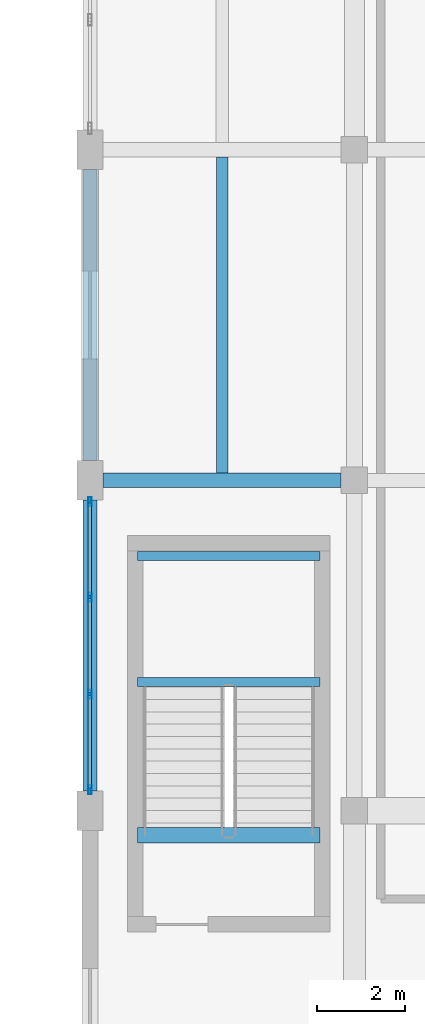
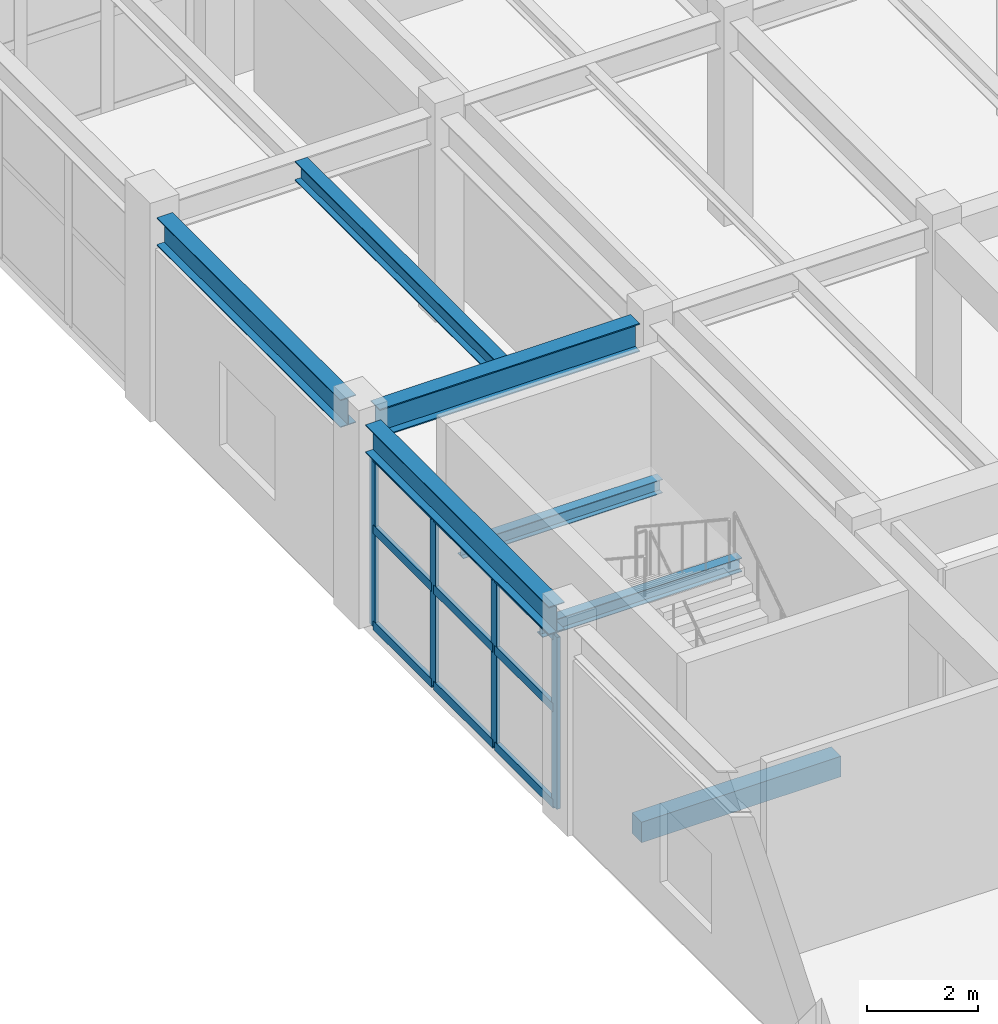
# One storey, part 34 of 85: 13 members, 7 beams, 1 element without a shape of its own.
"""IFC4 building model written with IfcOpenShell, lengths in metres."""

import ifcopenshell
import ifcopenshell.guid

model = None  # the IFC model being written
_history = None  # IfcOwnerHistory: only IFC2X3 demands one
_inside = {}  # id of a spatial element -> (the spatial element, [elements in it])
_under = {}  # id of a project, library or spatial element -> (it, [spatial elements below it])
_declared = {}  # id of a project -> (the project, [libraries it declares])
_typed = {}  # id of a type object -> (the type object, [elements of that type])
_made_of = {}  # id of a material, layer set ... -> (it, [elements and type objects made of it])


def new_model(schema):
    """Start an empty IFC model of exactly this schema.

    Asked for "IFC4X3", IfcOpenShell would pick the latest addendum, in which some entities
    have other attributes; the version numbers below select the first issue.
    IFC2X3 requires an IfcOwnerHistory on every rooted entity: one is made here for all.
    """
    global model, _history
    if schema == "IFC4X3":
        model = ifcopenshell.file(schema_version=(4, 3, 0, 0))
    else:
        model = ifcopenshell.file(schema=schema)
    _inside.clear()
    _under.clear()
    _declared.clear()
    _typed.clear()
    _made_of.clear()
    _history = None
    if model.schema == "IFC2X3":
        org = make("IfcOrganization", Name="unknown")
        user = make(
            "IfcPersonAndOrganization",
            ThePerson=make("IfcPerson", FamilyName="unknown"),
            TheOrganization=org,
        )
        app = make(
            "IfcApplication",
            ApplicationDeveloper=org,
            Version="unknown",
            ApplicationFullName="unknown",
            ApplicationIdentifier="unknown",
        )
        _history = make(
            "IfcOwnerHistory",
            OwningUser=user,
            OwningApplication=app,
            ChangeAction="ADDED",
            CreationDate=0,
        )
    return model


def make(cls, **values):
    """One entity of the class cls with the attributes given. An attribute that is None is left unset."""
    return model.create_entity(
        cls, **{name: value for name, value in values.items() if value is not None}
    )


def rooted(cls, **values):
    """An entity with a GlobalId (a new one), such as an element, a storey or a relation."""
    return make(cls, GlobalId=ifcopenshell.guid.new(), OwnerHistory=_history, **values)


def si_unit(unit_type, name, prefix=None):
    """IfcSIUnit, for example si_unit("LENGTHUNIT", "METRE", prefix="MILLI")."""
    return make("IfcSIUnit", UnitType=unit_type, Prefix=prefix, Name=name)


def assignment(units):
    """IfcUnitAssignment: the units of a project."""
    return None if units is None else make("IfcUnitAssignment", Units=units)


def point(xyz):
    """IfcCartesianPoint."""
    return None if xyz is None else make("IfcCartesianPoint", Coordinates=xyz)


def direction(xyz):
    """IfcDirection."""
    return None if xyz is None else make("IfcDirection", DirectionRatios=xyz)


def frame(location, z_axis=None, x_axis=None):
    """IfcAxis2Placement3D, a coordinate frame: its origin and axes. An axis left out is left unset."""
    return make(
        "IfcAxis2Placement3D",
        Location=point(location),
        Axis=direction(z_axis),
        RefDirection=direction(x_axis),
    )


def frame_2d(location, x_axis=None):
    """IfcAxis2Placement2D, a coordinate frame in the plane: its origin and x axis."""
    return make(
        "IfcAxis2Placement2D", Location=point(location), RefDirection=direction(x_axis)
    )


def origin():
    """The frame at (0, 0, 0) with its axes left unset."""
    return frame((0.0, 0.0, 0.0))


def origin_2d():
    """The frame at (0, 0) in the plane with its x axis left unset."""
    return frame_2d((0.0, 0.0))


def place(relative_to, where):
    """IfcLocalPlacement: puts the frame where relative to a parent placement (None: the world)."""
    return make(
        "IfcLocalPlacement", PlacementRelTo=relative_to, RelativePlacement=where
    )


def context(
    kind, dimensions, precision=None, world=None, true_north=None, identifier=None
):
    """IfcGeometricRepresentationContext, for example the 3D "Model" context."""
    return make(
        "IfcGeometricRepresentationContext",
        ContextIdentifier=identifier,
        ContextType=kind,
        CoordinateSpaceDimension=dimensions,
        Precision=precision,
        WorldCoordinateSystem=world,
        TrueNorth=true_north,
    )


def subcontext(parent, identifier, kind, view, scale=None):
    """IfcGeometricRepresentationSubContext, for example "Body" below "Model"."""
    return make(
        "IfcGeometricRepresentationSubContext",
        ContextIdentifier=identifier,
        ContextType=kind,
        ParentContext=parent,
        TargetScale=scale,
        TargetView=view,
    )


def project(units=None, contexts=None):
    """IfcProject with its units and contexts."""
    return rooted(
        "IfcProject",
        Name="project",
        RepresentationContexts=contexts,
        UnitsInContext=assignment(units),
    )


def spatial(cls, under=None, at=None, **own):
    """A site, building, storey or space (cls), placed at a placement, below another one or the project."""
    s = rooted(cls, ObjectPlacement=at, **own)
    if under is not None:
        _under.setdefault(under.id(), (under, []))[1].append(s)
    return s


def profile(cls, at=None, kind="AREA", **sizes):
    """A parametric profile (cls). Its sizes go by their IFC names, for example OverallWidth=200.0."""
    return make(cls, ProfileType=kind, Position=at, **sizes)


def rectangle(**sizes):
    """IfcRectangleProfileDef."""
    return profile("IfcRectangleProfileDef", **sizes)


def hollow_rectangle(**sizes):
    """IfcRectangleHollowProfileDef."""
    return profile("IfcRectangleHollowProfileDef", **sizes)


def i_section(**sizes):
    """IfcIShapeProfileDef."""
    return profile("IfcIShapeProfileDef", **sizes)


def extrude(swept, where, along, depth):
    """IfcExtrudedAreaSolid: the profile swept, set in the frame where, extruded along a direction by depth."""
    return make(
        "IfcExtrudedAreaSolid",
        SweptArea=swept,
        Position=where,
        ExtrudedDirection=direction(along),
        Depth=depth,
    )


def shape(context_of_items, identifier, shape_type, items):
    """IfcShapeRepresentation: the items that make up one representation, for example the "Body"."""
    return make(
        "IfcShapeRepresentation",
        ContextOfItems=context_of_items,
        RepresentationIdentifier=identifier,
        RepresentationType=shape_type,
        Items=items,
    )


def material(Name=None, Category=None):
    """IfcMaterial."""
    return make("IfcMaterial", Name=Name, Category=Category)


def layer(
    of_material, thickness, ventilated=None, Name=None, Category=None, Priority=None
):
    """IfcMaterialLayer: one layer of a wall or slab, of a material (None: an air gap)."""
    return make(
        "IfcMaterialLayer",
        Material=of_material,
        LayerThickness=thickness,
        IsVentilated=ventilated,
        Name=Name,
        Category=Category,
        Priority=Priority,
    )


def layer_set(layers, Name=None):
    """IfcMaterialLayerSet."""
    return make("IfcMaterialLayerSet", MaterialLayers=layers, LayerSetName=Name)


def material_profile(
    of_material, cross_section, Name=None, Category=None, Priority=None
):
    """IfcMaterialProfile: a cross section and its material."""
    return make(
        "IfcMaterialProfile",
        Name=Name,
        Material=of_material,
        Profile=cross_section,
        Priority=Priority,
        Category=Category,
    )


def profile_set(profiles, Name=None, composite=None):
    """IfcMaterialProfileSet."""
    return make(
        "IfcMaterialProfileSet",
        Name=Name,
        MaterialProfiles=profiles,
        CompositeProfile=composite,
    )


def made_of(thing, what):
    """Note that an element or type object is made of a material, layer set ...; save() writes the relation."""
    if what is not None:
        _made_of.setdefault(what.id(), (what, []))[1].append(thing)
    return thing


def type_object(cls, material=None, **own):
    """A type object (cls), such as IfcWallType, which elements share."""
    return made_of(rooted(cls, **own), material)


def element(
    cls,
    number,
    at=None,
    inside=None,
    cuts=None,
    type_object=None,
    material=None,
    context=None,
    identifier="Body",
    shape_type=None,
    held_by="IfcProductDefinitionShape",
    body=None,
    shapes=None,
    **own,
):
    """One element of the class cls, such as IfcWall. Its Tag is "e" and its number.

    at: its placement. inside: the storey or other place that contains it. cuts: it is an
    opening in that element (IfcRelVoidsElement). A single representation is given by context,
    identifier, shape_type and body (its items); several are given by shapes. held_by: the class
    of the entity that holds the representations. save() writes the other relations.
    """
    e = rooted(cls, Tag="e%d" % number, ObjectPlacement=at, **own)
    if body is not None:
        shapes = [shape(context, identifier, shape_type, body)]
    if shapes is not None:
        e.Representation = make(held_by, Representations=shapes)
    if inside is not None:
        _inside.setdefault(inside.id(), (inside, []))[1].append(e)
    if cuts is not None:
        rooted(
            "IfcRelVoidsElement", RelatingBuildingElement=cuts, RelatedOpeningElement=e
        )
    if type_object is not None:
        _typed.setdefault(type_object.id(), (type_object, []))[1].append(e)
    return made_of(e, material)


def aggregate(whole, parts):
    """IfcRelAggregates: a whole, such as a stair, and the parts it consists of."""
    return rooted("IfcRelAggregates", RelatingObject=whole, RelatedObjects=parts)


def save(model, path):
    """Write the relations noted so far, then the file.

    IfcRelAggregates (storeys below a building ...), IfcRelContainedInSpatialStructure (elements
    in a storey), IfcRelDefinesByType, IfcRelAssociatesMaterial and IfcRelDeclares: one each for
    every whole, place, type object, material and project.
    """
    for whole, parts in _under.values():
        aggregate(whole, parts)
    for where, things in _inside.values():
        rooted(
            "IfcRelContainedInSpatialStructure",
            RelatedElements=things,
            RelatingStructure=where,
        )
    for kind, things in _typed.values():
        rooted("IfcRelDefinesByType", RelatedObjects=things, RelatingType=kind)
    for what, things in _made_of.values():
        rooted("IfcRelAssociatesMaterial", RelatedObjects=things, RelatingMaterial=what)
    for by, libraries in _declared.values():
        rooted("IfcRelDeclares", RelatingContext=by, RelatedDefinitions=libraries)
    model.write(path)


model = new_model("IFC4")

# Units and contexts
model_context = context("Model", 3, precision=1e-05, world=origin(), true_north=direction((0.0, 1.0)))
body_context = subcontext(model_context, "Body", "Model", "MODEL_VIEW")
ifc_project = project(units=[si_unit("LENGTHUNIT", "METRE"), si_unit("AREAUNIT", "SQUARE_METRE"), si_unit("VOLUMEUNIT", "CUBIC_METRE"), si_unit("PLANEANGLEUNIT", "RADIAN"), si_unit("MASSUNIT", "GRAM", prefix="KILO")], contexts=[model_context])

# Site, building, storey
site_placement = place(None, origin())
site = spatial("IfcSite", under=ifc_project, at=site_placement, CompositionType="ELEMENT")
building_placement = place(site_placement, origin())
building = spatial("IfcBuilding", under=site, at=building_placement, Name="Vaelkrest Opera House", CompositionType="ELEMENT")
storey_placement = place(building_placement, frame((0.0, 0.0, 10.199951171875)))
storey = spatial("IfcBuildingStorey", under=building, at=storey_placement, Name="L02", CompositionType="ELEMENT", Elevation=10.199951171875)

# Beam
ifc_material_1 = material(Name="Steel A992 Gr50", Category="steel")
ifc_material_profile_1 = material_profile(ifc_material_1, i_section(OverallWidth=0.326904296875, OverallDepth=0.6220703125, WebThickness=0.015380859375, FlangeThickness=0.0244140625, at=origin_2d()), Name="W24X131")
ifc_profile_set_1 = profile_set([ifc_material_profile_1], Name="Steel A992 Gr50")
beam_type_1 = type_object("IfcBeamType", Name="B19", PredefinedType="BEAM", material=ifc_profile_set_1)
beam_1_placement = place(storey_placement, frame((-75.300048828125, 17.699951171875, 4.134033203125), z_axis=(1.0, 0.0, 0.0), x_axis=(0.0, 1.0, 0.0)))
element("IfcBeam", 1, at=beam_1_placement, inside=storey, type_object=beam_type_1, Name="Beam BM-V3-L02-1643", PredefinedType="BEAM", context=body_context, shape_type="SweptSolid", body=[
    extrude(i_section(OverallWidth=0.326904296875, OverallDepth=0.6220703125, WebThickness=0.015380859375, FlangeThickness=0.0244140625, at=origin_2d()), origin(), (0.0, 0.0, 1.0), 5.400146484375),
])

# Curtain wall, members
ifc_material_2 = material(Name="Dark bronze anodized aluminium", Category="aluminium")
ifc_layer = layer(ifc_material_2, 0.22998046875)
ifc_layer_set = layer_set([ifc_layer], Name="Dark bronze anodized aluminium")
curtain_wall_type = type_object("IfcCurtainWallType", Name="CW06", PredefinedType="NOTDEFINED", material=ifc_layer_set)
curtain_wall_placement = place(storey_placement, origin())
curtain_wall = element("IfcCurtainWall", 2, at=curtain_wall_placement, inside=storey, type_object=curtain_wall_type, Name="Curtain wall CW-L02-117", PredefinedType="NOTDEFINED")
ifc_material_profile_2 = material_profile(ifc_material_2, hollow_rectangle(XDim=0.070068359375, YDim=0.199951171875, WallThickness=0.004150390625, at=origin_2d()), Name="CWM70X200")
ifc_profile_set_2 = profile_set([ifc_material_profile_2], Name="Dark bronze anodized aluminium")
member_type_1 = type_object("IfcMemberType", Name="CWM02", PredefinedType="MULLION", material=ifc_profile_set_2)
member_1_placement = place(storey_placement, frame((-75.60009765625, 10.68310546875, 0.0), z_axis=(0.0, 0.0, 1.0), x_axis=(-1.0, 0.0, 0.0)))
member_1 = element("IfcMember", 3, at=member_1_placement, type_object=member_type_1, Name="CW06 mullion 1", PredefinedType="MULLION", context=body_context, shape_type="SweptSolid", body=[
    extrude(hollow_rectangle(XDim=0.070068359375, YDim=0.199951171875, WallThickness=0.004150390625, at=origin_2d()), origin(), (0.0, 0.0, 1.0), 3.76904296875),
])
member_2_placement = place(storey_placement, frame((-75.60009765625, 12.849365234375, 0.0), z_axis=(0.0, 0.0, 1.0), x_axis=(-1.0, 0.0, 0.0)))
member_2 = element("IfcMember", 4, at=member_2_placement, type_object=member_type_1, Name="CW06 mullion 2", PredefinedType="MULLION", context=body_context, shape_type="SweptSolid", body=[
    extrude(hollow_rectangle(XDim=0.070068359375, YDim=0.199951171875, WallThickness=0.004150390625, at=origin_2d()), origin(), (0.0, 0.0, 1.0), 3.76904296875),
])
member_3_placement = place(storey_placement, frame((-75.60009765625, 15.05078125, 0.0), z_axis=(0.0, 0.0, 1.0), x_axis=(-1.0, 0.0, 0.0)))
member_3 = element("IfcMember", 5, at=member_3_placement, type_object=member_type_1, Name="CW06 mullion 3", PredefinedType="MULLION", context=body_context, shape_type="SweptSolid", body=[
    extrude(hollow_rectangle(XDim=0.070068359375, YDim=0.199951171875, WallThickness=0.004150390625, at=origin_2d()), origin(), (0.0, 0.0, 1.0), 3.76904296875),
])
member_4_placement = place(storey_placement, frame((-75.60009765625, 17.217041015625, 0.0), z_axis=(0.0, 0.0, 1.0), x_axis=(-1.0, 0.0, 0.0)))
member_4 = element("IfcMember", 6, at=member_4_placement, type_object=member_type_1, Name="CW06 mullion 4", PredefinedType="MULLION", context=body_context, shape_type="SweptSolid", body=[
    extrude(hollow_rectangle(XDim=0.070068359375, YDim=0.199951171875, WallThickness=0.004150390625, at=origin_2d()), origin(), (0.0, 0.0, 1.0), 3.76904296875),
])
ifc_material_profile_3 = material_profile(ifc_material_2, hollow_rectangle(XDim=0.080078125, YDim=0.18994140625, WallThickness=0.0048828125, at=origin_2d()), Name="CWT80X190")
ifc_profile_set_3 = profile_set([ifc_material_profile_3], Name="Dark bronze anodized aluminium")
member_type_2 = type_object("IfcMemberType", Name="CWT04", PredefinedType="USERDEFINED", material=ifc_profile_set_3)
member_5_placement = place(storey_placement, frame((-75.60009765625, 10.718017578125, 0.0400390625), z_axis=(0.0, 1.0, 0.0), x_axis=(-1.0, 0.0, 0.0)))
member_5 = element("IfcMember", 7, at=member_5_placement, type_object=member_type_2, Name="CW06 transom 1.1", ObjectType="TRANSOM", PredefinedType="USERDEFINED", context=body_context, shape_type="SweptSolid", body=[
    extrude(hollow_rectangle(XDim=0.080078125, YDim=0.18994140625, WallThickness=0.0048828125, at=origin_2d()), origin(), (0.0, 0.0, 1.0), 2.096435546875),
])
member_6_placement = place(storey_placement, frame((-75.60009765625, 10.718017578125, 2.150146484375), z_axis=(0.0, 1.0, 0.0), x_axis=(-1.0, 0.0, 0.0)))
member_6 = element("IfcMember", 8, at=member_6_placement, type_object=member_type_2, Name="CW06 transom 1.2", ObjectType="TRANSOM", PredefinedType="USERDEFINED", context=body_context, shape_type="SweptSolid", body=[
    extrude(hollow_rectangle(XDim=0.080078125, YDim=0.18994140625, WallThickness=0.0048828125, at=origin_2d()), origin(), (0.0, 0.0, 1.0), 2.096435546875),
])
member_7_placement = place(storey_placement, frame((-75.60009765625, 10.718017578125, 3.72900390625), z_axis=(0.0, 1.0, 0.0), x_axis=(-1.0, 0.0, 0.0)))
member_7 = element("IfcMember", 9, at=member_7_placement, type_object=member_type_2, Name="CW06 transom 1.3", ObjectType="TRANSOM", PredefinedType="USERDEFINED", context=body_context, shape_type="SweptSolid", body=[
    extrude(hollow_rectangle(XDim=0.080078125, YDim=0.18994140625, WallThickness=0.0048828125, at=origin_2d()), origin(), (0.0, 0.0, 1.0), 2.096435546875),
])
member_8_placement = place(storey_placement, frame((-75.60009765625, 12.88427734375, 0.0400390625), z_axis=(0.0, 1.0, 0.0), x_axis=(-1.0, 0.0, 0.0)))
member_8 = element("IfcMember", 10, at=member_8_placement, type_object=member_type_2, Name="CW06 transom 2.1", ObjectType="TRANSOM", PredefinedType="USERDEFINED", context=body_context, shape_type="SweptSolid", body=[
    extrude(hollow_rectangle(XDim=0.080078125, YDim=0.18994140625, WallThickness=0.0048828125, at=origin_2d()), origin(), (0.0, 0.0, 1.0), 2.13134765625),
])
member_9_placement = place(storey_placement, frame((-75.60009765625, 12.88427734375, 2.150146484375), z_axis=(0.0, 1.0, 0.0), x_axis=(-1.0, 0.0, 0.0)))
member_9 = element("IfcMember", 11, at=member_9_placement, type_object=member_type_2, Name="CW06 transom 2.2", ObjectType="TRANSOM", PredefinedType="USERDEFINED", context=body_context, shape_type="SweptSolid", body=[
    extrude(hollow_rectangle(XDim=0.080078125, YDim=0.18994140625, WallThickness=0.0048828125, at=origin_2d()), origin(), (0.0, 0.0, 1.0), 2.13134765625),
])
member_10_placement = place(storey_placement, frame((-75.60009765625, 12.88427734375, 3.72900390625), z_axis=(0.0, 1.0, 0.0), x_axis=(-1.0, 0.0, 0.0)))
member_10 = element("IfcMember", 12, at=member_10_placement, type_object=member_type_2, Name="CW06 transom 2.3", ObjectType="TRANSOM", PredefinedType="USERDEFINED", context=body_context, shape_type="SweptSolid", body=[
    extrude(hollow_rectangle(XDim=0.080078125, YDim=0.18994140625, WallThickness=0.0048828125, at=origin_2d()), origin(), (0.0, 0.0, 1.0), 2.13134765625),
])
member_11_placement = place(storey_placement, frame((-75.60009765625, 15.085693359375, 0.0400390625), z_axis=(0.0, 1.0, 0.0), x_axis=(-1.0, 0.0, 0.0)))
member_11 = element("IfcMember", 13, at=member_11_placement, type_object=member_type_2, Name="CW06 transom 3.1", ObjectType="TRANSOM", PredefinedType="USERDEFINED", context=body_context, shape_type="SweptSolid", body=[
    extrude(hollow_rectangle(XDim=0.080078125, YDim=0.18994140625, WallThickness=0.0048828125, at=origin_2d()), origin(), (0.0, 0.0, 1.0), 2.09619140625),
])
member_12_placement = place(storey_placement, frame((-75.60009765625, 15.085693359375, 2.150146484375), z_axis=(0.0, 1.0, 0.0), x_axis=(-1.0, 0.0, 0.0)))
member_12 = element("IfcMember", 14, at=member_12_placement, type_object=member_type_2, Name="CW06 transom 3.2", ObjectType="TRANSOM", PredefinedType="USERDEFINED", context=body_context, shape_type="SweptSolid", body=[
    extrude(hollow_rectangle(XDim=0.080078125, YDim=0.18994140625, WallThickness=0.0048828125, at=origin_2d()), origin(), (0.0, 0.0, 1.0), 2.09619140625),
])
member_13_placement = place(storey_placement, frame((-75.60009765625, 15.085693359375, 3.72900390625), z_axis=(0.0, 1.0, 0.0), x_axis=(-1.0, 0.0, 0.0)))
member_13 = element("IfcMember", 15, at=member_13_placement, type_object=member_type_2, Name="CW06 transom 3.3", ObjectType="TRANSOM", PredefinedType="USERDEFINED", context=body_context, shape_type="SweptSolid", body=[
    extrude(hollow_rectangle(XDim=0.080078125, YDim=0.18994140625, WallThickness=0.0048828125, at=origin_2d()), origin(), (0.0, 0.0, 1.0), 2.09619140625),
])
aggregate(curtain_wall, [member_1, member_2, member_3, member_4, member_5, member_6, member_7, member_8, member_9, member_10, member_11, member_12, member_13])

# Beams
ifc_material_profile_4 = material_profile(ifc_material_1, i_section(OverallWidth=0.202880859375, OverallDepth=0.302978515625, WebThickness=0.007568359375, FlangeThickness=0.01318359375, at=origin_2d()), Name="W12X40")
ifc_profile_set_4 = profile_set([ifc_material_profile_4], Name="Steel A992 Gr50")
beam_type_2 = type_object("IfcBeamType", Name="J02", PredefinedType="JOIST", material=ifc_profile_set_4)
for number, where, z_axis, x_axis, name in (
    (16, (-74.52001953125, 13.1298828125, 2.048583984375), (1.0, 0.0, 0.0), (0.0, 1.0, 0.0), "Stair landing bearer beam ST07 L02-1N"),
    (17, (-74.52001953125, 15.97998046875, 2.048583984375), (1.0, 0.0, 0.0), (0.0, 1.0, 0.0), "Stair landing bearer beam ST07 L02-1F"),
):
    element("IfcBeam", number, at=place(storey_placement, frame(where, z_axis=z_axis, x_axis=x_axis)), inside=storey, type_object=beam_type_2, Name=name, PredefinedType="JOIST", context=body_context, shape_type="SweptSolid", body=[
        extrude(i_section(OverallWidth=0.202880859375, OverallDepth=0.302978515625, WebThickness=0.007568359375, FlangeThickness=0.01318359375, at=origin_2d()), origin(), (0.0, 0.0, 1.0), 4.14013671875),
    ])
ifc_material_profile_5 = material_profile(ifc_material_1, i_section(OverallWidth=0.261962890625, OverallDepth=0.4189453125, WebThickness=0.01171875, FlangeThickness=0.019287109375, at=origin_2d()), Name="W16X77")
ifc_profile_set_5 = profile_set([ifc_material_profile_5], Name="Steel A992 Gr50")
beam_type_3 = type_object("IfcBeamType", Name="J08", PredefinedType="JOIST", material=ifc_profile_set_5)
beam_2_placement = place(storey_placement, frame((-72.60009765625, 17.863525390625, 4.235595703125), z_axis=(0.0, 1.0, 0.0), x_axis=(-1.0, 0.0, 0.0)))
element("IfcBeam", 18, at=beam_2_placement, inside=storey, type_object=beam_type_3, Name="Floor joist JST-V3-L02-1708", PredefinedType="JOIST", context=body_context, shape_type="SweptSolid", body=[
    extrude(i_section(OverallWidth=0.261962890625, OverallDepth=0.4189453125, WebThickness=0.01171875, FlangeThickness=0.019287109375, at=origin_2d()), origin(), (0.0, 0.0, 1.0), 7.17236328125),
])
ifc_material_3 = material(Name="Concrete C50/60", Category="concrete")
ifc_material_profile_6 = material_profile(ifc_material_3, rectangle(XDim=0.35009765625, YDim=0.449951171875, at=origin_2d()), Name="RCB350X450")
ifc_profile_set_6 = profile_set([ifc_material_profile_6], Name="Concrete C50/60")
beam_type_4 = type_object("IfcBeamType", Name="LN01", PredefinedType="LINTEL", material=ifc_profile_set_6)
beam_3_placement = place(storey_placement, frame((-74.52001953125, 9.64990234375, -0.224853515625), z_axis=(1.0, 0.0, 0.0), x_axis=(0.0, 1.0, 0.0)))
element("IfcBeam", 19, at=beam_3_placement, inside=storey, type_object=beam_type_4, Name="Stairwell trimmer beam ST07 L02", PredefinedType="LINTEL", context=body_context, shape_type="SweptSolid", body=[
    extrude(rectangle(XDim=0.35009765625, YDim=0.449951171875, at=origin_2d()), origin(), (0.0, 0.0, 1.0), 4.14013671875),
])
ifc_material_profile_7 = material_profile(ifc_material_1, i_section(OverallWidth=0.323974609375, OverallDepth=0.611083984375, WebThickness=0.0126953125, FlangeThickness=0.01904296875, at=origin_2d()), Name="W24X104")
ifc_profile_set_7 = profile_set([ifc_material_profile_7], Name="Steel A992 Gr50")
beam_type_5 = type_object("IfcBeamType", Name="SP01", PredefinedType="SPANDREL", material=ifc_profile_set_7)
for number, where, z_axis, x_axis, name in (
    (20, (-75.60009765625, 10.64990234375, 4.1396484375), (0.0, 1.0, 0.0), (-1.0, 0.0, 0.0), "Beam BM-V3-L02-1667"),
    (21, (-75.60009765625, 18.14990234375, 4.1396484375), (0.0, 1.0, 0.0), (-1.0, 0.0, 0.0), "Beam BM-V3-L02-1668"),
):
    element("IfcBeam", number, at=place(storey_placement, frame(where, z_axis=z_axis, x_axis=x_axis)), inside=storey, type_object=beam_type_5, Name=name, PredefinedType="SPANDREL", context=body_context, shape_type="SweptSolid", body=[
        extrude(i_section(OverallWidth=0.323974609375, OverallDepth=0.611083984375, WebThickness=0.0126953125, FlangeThickness=0.01904296875, at=origin_2d()), origin(), (0.0, 0.0, 1.0), 6.60009765625),
    ])

save(model, "model.ifc")
